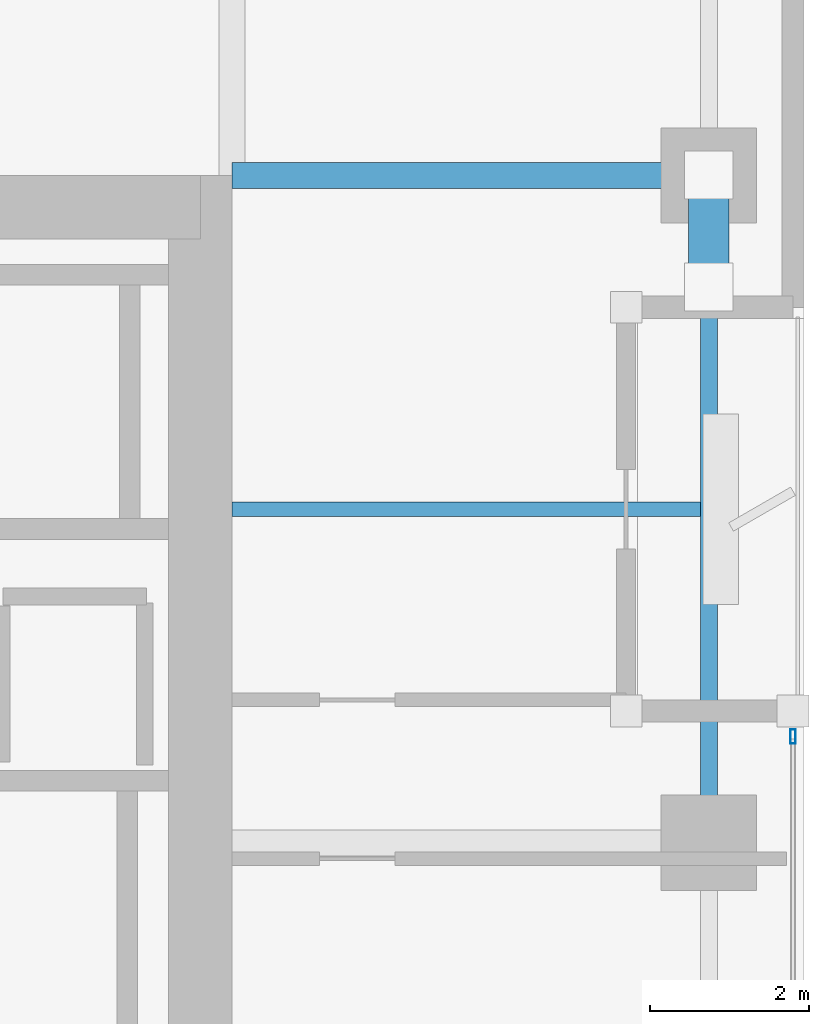
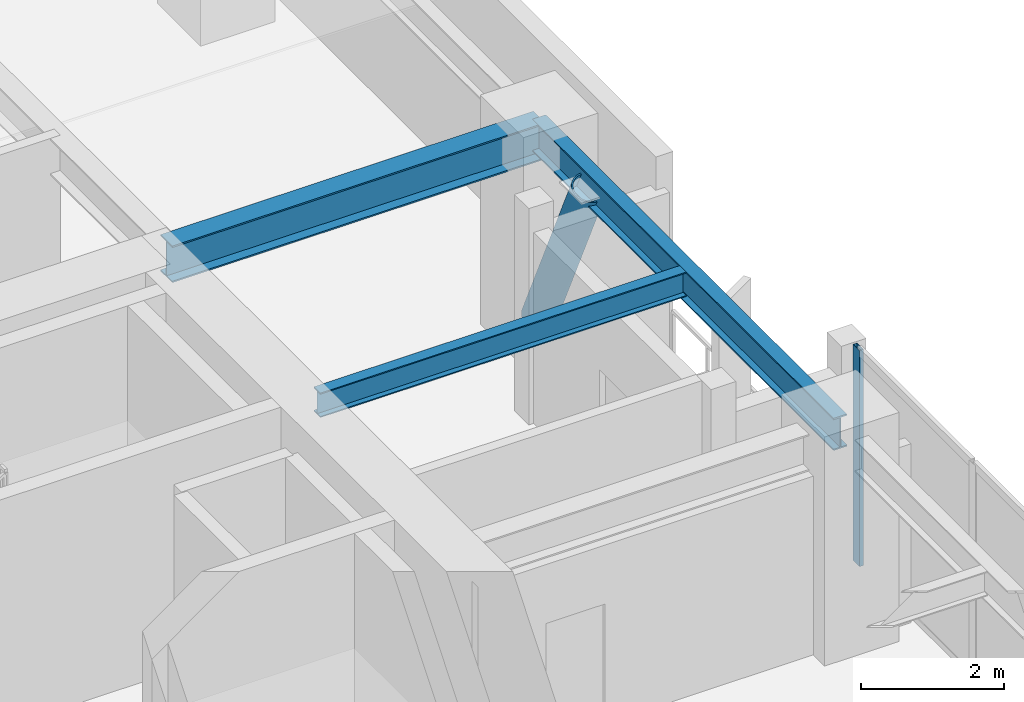
# One storey, part 11 of 30: 3 beams, 2 members, 1 element without a shape of its own.
"""IFC4 building model written with IfcOpenShell, lengths in metres."""

from ifc_helpers import new_model, si_unit, direction, frame, origin, origin_2d, place, context, subcontext, project, spatial, hollow_rectangle, hollow_circle, i_section, extrude, material, layer, layer_set, material_profile, profile_set, type_object, element, aggregate, save


model = new_model("IFC4")

# Units and contexts
model_context = context("Model", 3, precision=1e-05, world=origin(), true_north=direction((0.0, 1.0)))
body_context = subcontext(model_context, "Body", "Model", "MODEL_VIEW")
ifc_project = project(units=[si_unit("LENGTHUNIT", "METRE"), si_unit("AREAUNIT", "SQUARE_METRE"), si_unit("VOLUMEUNIT", "CUBIC_METRE"), si_unit("PLANEANGLEUNIT", "RADIAN"), si_unit("MASSUNIT", "GRAM", prefix="KILO")], contexts=[model_context])

# Site, building, storey
site_placement = place(None, origin())
site = spatial("IfcSite", under=ifc_project, at=site_placement, CompositionType="ELEMENT")
building_placement = place(site_placement, origin())
building = spatial("IfcBuilding", under=site, at=building_placement, Name="Kiyonajd Concourse Tower", CompositionType="ELEMENT")
storey_placement = place(building_placement, frame((0.0, 0.0, 174.0)))
storey = spatial("IfcBuildingStorey", under=building, at=storey_placement, Name="L44", CompositionType="ELEMENT", Elevation=174.0)

# Beams
ifc_material_1 = material(Name="Steel ASTM A992 Grade 50", Category="steel")
ifc_material_profile_1 = material_profile(ifc_material_1, i_section(OverallWidth=0.180908203125, OverallDepth=0.4169921875, WebThickness=0.010986328125, FlangeThickness=0.018310546875, at=origin_2d()), Name="W410X85")
ifc_profile_set_1 = profile_set([ifc_material_profile_1], Name="Steel ASTM A992 Grade 50")
beam_type_1 = type_object("IfcBeamType", Name="BM-JST-410", PredefinedType="JOIST", material=ifc_profile_set_1)
beam_1_placement = place(storey_placement, frame((63.60009765625, 40.199951171875, 3.471435546875), z_axis=(1.0, 0.0, 0.0), x_axis=(0.0, 1.0, 0.0)))
element("IfcBeam", 1, at=beam_1_placement, inside=storey, type_object=beam_type_1, Name="L44 East Secondary Floor Joist", PredefinedType="JOIST", context=body_context, shape_type="SweptSolid", body=[
    extrude(i_section(OverallWidth=0.180908203125, OverallDepth=0.4169921875, WebThickness=0.010986328125, FlangeThickness=0.018310546875, at=origin_2d()), origin(), (0.0, 0.0, 1.0), 5.892822265625),
])
ifc_material_profile_2 = material_profile(ifc_material_1, i_section(OverallWidth=0.214111328125, OverallDepth=0.549072265625, WebThickness=0.0146484375, FlangeThickness=0.023681640625, at=origin_2d()), Name="W530X138")
ifc_profile_set_2 = profile_set([ifc_material_profile_2], Name="Steel ASTM A992 Grade 50")
beam_type_2 = type_object("IfcBeamType", Name="BM-SPAN-530A", PredefinedType="SPANDREL", material=ifc_profile_set_2)
beam_2_placement = place(storey_placement, frame((69.60009765625, 36.0, 3.405517578125), z_axis=(0.0, 1.0, 0.0), x_axis=(-1.0, 0.0, 0.0)))
element("IfcBeam", 2, at=beam_2_placement, inside=storey, type_object=beam_type_2, Name="L44 Perimeter Bundled Tube Spandrel", PredefinedType="SPANDREL", context=body_context, shape_type="SweptSolid", body=[
    extrude(i_section(OverallWidth=0.214111328125, OverallDepth=0.549072265625, WebThickness=0.0146484375, FlangeThickness=0.023681640625, at=origin_2d()), origin(), (0.0, 0.0, 1.0), 8.39990234375),
])
ifc_material_profile_3 = material_profile(ifc_material_1, i_section(OverallWidth=0.326904296875, OverallDepth=0.6220703125, WebThickness=0.015380859375, FlangeThickness=0.0244140625, at=origin_2d()), Name="W610X195")
ifc_profile_set_3 = profile_set([ifc_material_profile_3], Name="Steel ASTM A992 Grade 50")
beam_type_3 = type_object("IfcBeamType", Name="BM-TWR-610A", PredefinedType="BEAM", material=ifc_profile_set_3)
beam_3_placement = place(storey_placement, frame((63.60009765625, 44.39990234375, 3.368896484375), z_axis=(1.0, 0.0, 0.0), x_axis=(0.0, 1.0, 0.0)))
element("IfcBeam", 3, at=beam_3_placement, inside=storey, type_object=beam_type_3, Name="L44 East Lease Girder", PredefinedType="BEAM", context=body_context, shape_type="SweptSolid", body=[
    extrude(i_section(OverallWidth=0.326904296875, OverallDepth=0.6220703125, WebThickness=0.015380859375, FlangeThickness=0.0244140625, at=origin_2d()), origin(), (0.0, 0.0, 1.0), 6.0),
])

# Curtain wall, member
ifc_material_2 = material(Name="Thermally Broken Anodised Aluminium", Category="aluminium")
ifc_layer = layer(ifc_material_2, 0.179931640625)
ifc_layer_set = layer_set([ifc_layer], Name="Thermally Broken Anodised Aluminium")
curtain_wall_type = type_object("IfcCurtainWallType", Name="CW-SYS-03", PredefinedType="NOTDEFINED", material=ifc_layer_set)
curtain_wall_placement = place(storey_placement, origin())
curtain_wall = element("IfcCurtainWall", 4, at=curtain_wall_placement, inside=storey, type_object=curtain_wall_type, Name="L44 Unitised Curtain Wall CW3", PredefinedType="NOTDEFINED")
ifc_material_profile_4 = material_profile(ifc_material_2, hollow_rectangle(XDim=0.06494140625, YDim=0.179931640625, WallThickness=0.00390625, at=origin_2d()), Name="MULL-65x180")
ifc_profile_set_4 = profile_set([ifc_material_profile_4], Name="Thermally Broken Anodised Aluminium")
member_type_1 = type_object("IfcMemberType", Name="MB-CW-MULL1", PredefinedType="MULLION", material=ifc_profile_set_4)
member_1_placement = place(storey_placement, frame((70.659912109375, 37.33740234375, 0.0), z_axis=(0.0, 0.0, 1.0), x_axis=(1.0, 0.0, 0.0)))
member_1 = element("IfcMember", 5, at=member_1_placement, type_object=member_type_1, Name="CW3 mullion 1", PredefinedType="MULLION", context=body_context, shape_type="SweptSolid", body=[
    extrude(hollow_rectangle(XDim=0.06494140625, YDim=0.179931640625, WallThickness=0.00390625, at=origin_2d()), origin(), (0.0, 0.0, 1.0), 3.679931640625),
])
aggregate(curtain_wall, [member_1])

# Member
ifc_material_3 = material(Name="Steel ASTM A500 Grade C", Category="steel")
ifc_material_profile_5 = material_profile(ifc_material_3, hollow_circle(Radius=0.25390625, WallThickness=0.02197265625, at=origin_2d()), Name="CHS-508x22")
ifc_profile_set_5 = profile_set([ifc_material_profile_5], Name="Steel ASTM A500 Grade C")
member_type_2 = type_object("IfcMemberType", Name="MB-PB-MID", PredefinedType="BRACE", material=ifc_profile_set_5)
member_2_placement = place(storey_placement, frame((69.60009765625, 44.39990234375, 0.300048828125), z_axis=(0.0, -0.419410666774, 0.907796614114), x_axis=(1.0, 0.0, 0.0)))
element("IfcMember", 6, at=member_2_placement, inside=storey, type_object=member_type_2, Name="L44 Upper Zone Hollow Tube Brace PBE", PredefinedType="BRACE", context=body_context, shape_type="SweptSolid", body=[
    extrude(hollow_circle(Radius=0.25390625, WallThickness=0.02197265625, at=origin_2d()), origin(), (0.0, 0.0, 1.0), 3.337890625),
])

save(model, "model.ifc")
